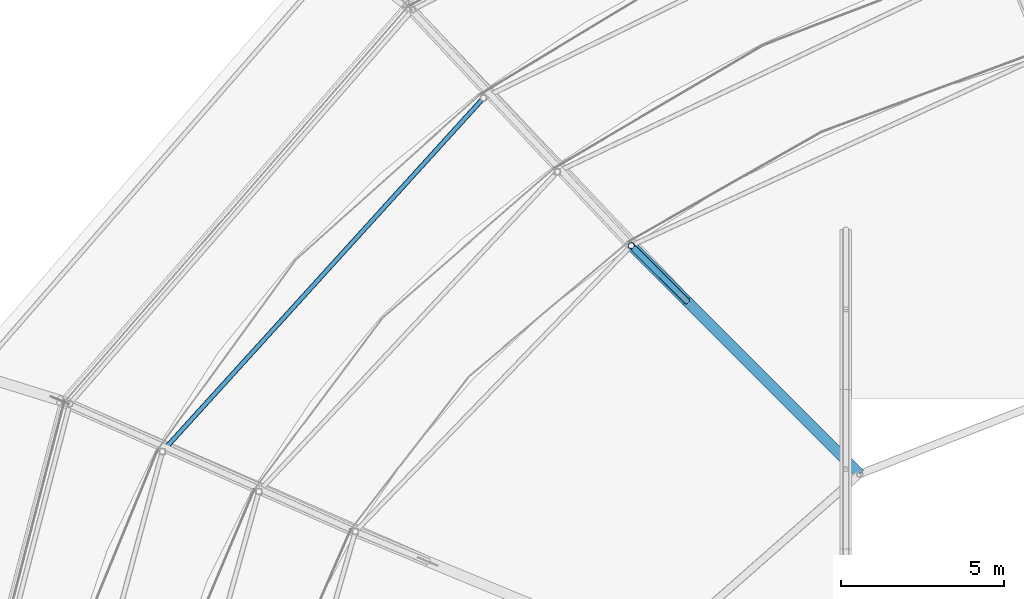
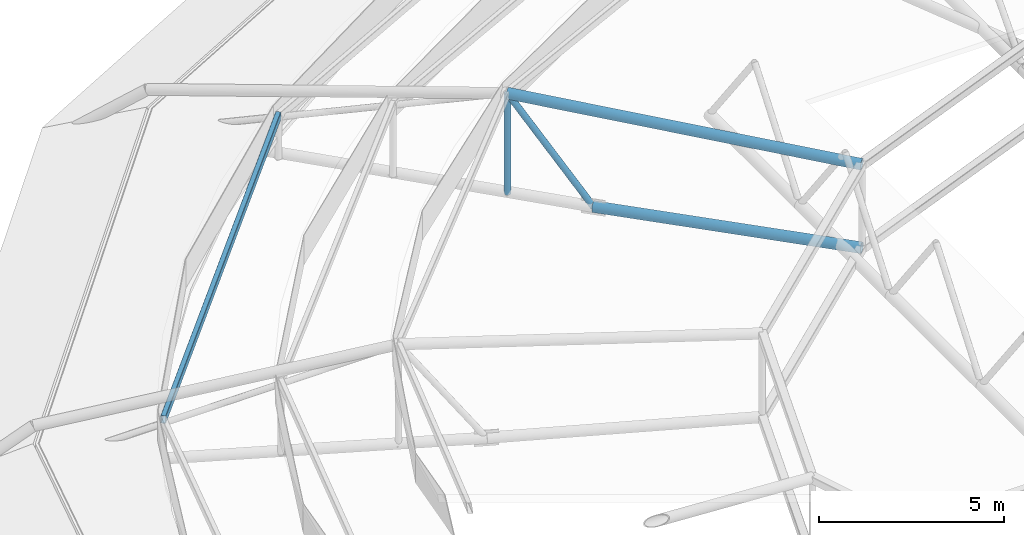
# One storey, part 22 of 134: 4 members, 1 beam.
"""IFC4 building model written with IfcOpenShell, lengths in metres."""

from ifc_helpers import new_model, si_unit, derived_unit, direction, frame, origin, origin_2d, place, context, subcontext, project, spatial, hollow_rectangle, hollow_circle, extrude, material, material_profile, profile_set, type_object, element, save


model = new_model("IFC4")

# Units and contexts
model_context = context("Model", 3, precision=1e-05, world=origin(), true_north=direction((0.0, 1.0)))
body_context = subcontext(model_context, "Body", "Model", "MODEL_VIEW")
ifc_project = project(units=[si_unit("LENGTHUNIT", "METRE"), si_unit("AREAUNIT", "SQUARE_METRE"), si_unit("VOLUMEUNIT", "CUBIC_METRE"), si_unit("PLANEANGLEUNIT", "RADIAN"), si_unit("MASSUNIT", "GRAM", prefix="KILO"), derived_unit("THERMALTRANSMITTANCEUNIT", [(si_unit("MASSUNIT", "GRAM", prefix="KILO"), 1), (si_unit("TIMEUNIT", "SECOND"), -3), (si_unit("THERMODYNAMICTEMPERATUREUNIT", "KELVIN"), -1)])], contexts=[model_context])

# Site, building, storey
site_placement = place(None, origin())
site = spatial("IfcSite", under=ifc_project, at=site_placement, CompositionType="ELEMENT")
building_placement = place(site_placement, origin())
building = spatial("IfcBuilding", under=site, at=building_placement, Name="Kharveza Railside Sports Centre", CompositionType="ELEMENT")
storey_placement = place(building_placement, frame((0.0, 0.0, 12.89990234375)))
storey = spatial("IfcBuildingStorey", under=building, at=storey_placement, Name="L03", CompositionType="ELEMENT", Elevation=12.89990234375)

# Beam
ifc_material = material(Name="Steel S355J2", Category="steel")
ifc_material_profile_1 = material_profile(ifc_material, hollow_rectangle(XDim=0.14990234375, YDim=0.25, WallThickness=0.010009765625, InnerFilletRadius=0.010009765625, OuterFilletRadius=0.02001953125, at=origin_2d()), Name="RHS 150x250x10.0")
ifc_profile_set_1 = profile_set([ifc_material_profile_1], Name="Steel S355J2")
beam_type = type_object("IfcBeamType", Name="BM-SP04", PredefinedType="SPANDREL", material=ifc_profile_set_1)
beam_placement = place(storey_placement, frame((22.497314453125, 74.017333984375, 1.35498046875), z_axis=(-0.672333188061, -0.740248663782, 0.0), x_axis=(0.740248663782, -0.672333188061, 0.0)))
element("IfcBeam", 1, at=beam_placement, inside=storey, type_object=beam_type, Name="BM-LIDRING-S2-07", PredefinedType="SPANDREL", context=body_context, shape_type="SweptSolid", body=[
    extrude(hollow_rectangle(XDim=0.14990234375, YDim=0.25, WallThickness=0.010009765625, InnerFilletRadius=0.010009765625, OuterFilletRadius=0.02001953125, at=origin_2d()), origin(), (0.0, 0.0, 1.0), 14.637939453125),
])

# Members
ifc_material_profile_2 = material_profile(ifc_material, hollow_circle(Radius=0.161865234375, WallThickness=0.01611328125, at=origin_2d()), Name="CHS 323.9x16.0")
ifc_profile_set_2 = profile_set([ifc_material_profile_2], Name="Steel S355J2")
member_type_1 = type_object("IfcMemberType", Name="MB-CH02", PredefinedType="CHORD", material=ifc_profile_set_2)
member_1_placement = place(storey_placement, frame((34.023193359375, 62.491455078125, -0.0498046875), z_axis=(-0.707090505092, 0.707123056906, 0.0), x_axis=(-0.707123056906, -0.707090505092, 0.0)))
element("IfcMember", 2, at=member_1_placement, inside=storey, type_object=member_type_1, Name="MB-OUT-BC1-07", PredefinedType="CHORD", context=body_context, shape_type="SweptSolid", body=[
    extrude(hollow_circle(Radius=0.161865234375, WallThickness=0.01611328125, at=origin_2d()), origin(), (0.0, 0.0, 1.0), 7.5),
])
member_2_placement = place(storey_placement, frame((34.023193359375, 62.491455078125, 2.7001953125), z_axis=(-0.706018898466, 0.706018898466, 0.055449346423), x_axis=(-0.707106781187, -0.707106781187, 0.0)))
element("IfcMember", 3, at=member_2_placement, inside=storey, type_object=member_type_1, Name="MB-OUT-TC1-07", PredefinedType="CHORD", context=body_context, shape_type="SweptSolid", body=[
    extrude(hollow_circle(Radius=0.161865234375, WallThickness=0.01611328125, at=origin_2d()), origin(), (0.0, 0.0, 1.0), 9.91552734375),
])
ifc_material_profile_3 = material_profile(ifc_material, hollow_circle(Radius=0.096923828125, WallThickness=0.010009765625, at=origin_2d()), Name="CHS 193.7x10.0")
ifc_profile_set_3 = profile_set([ifc_material_profile_3], Name="Steel S355J2")
member_type_2 = type_object("IfcMemberType", Name="MB-ST02", PredefinedType="STRUT", material=ifc_profile_set_3)
member_3_placement = place(storey_placement, frame((27.02294921875, 69.491943359375, -0.0498046875), z_axis=(0.0, 0.0, 1.0), x_axis=(1.0, 0.0, 0.0)))
element("IfcMember", 4, at=member_3_placement, inside=storey, type_object=member_type_2, Name="MB-LIDPOST-S4-07", PredefinedType="STRUT", context=body_context, shape_type="SweptSolid", body=[
    extrude(hollow_circle(Radius=0.096923828125, WallThickness=0.010009765625, at=origin_2d()), origin(), (0.0, 0.0, 1.0), 3.304931640625),
])
member_4_placement = place(storey_placement, frame((28.719970703125, 67.794921875, -0.0498046875), z_axis=(-0.415960202023, 0.415900368853, 0.808705133853), x_axis=(-0.707055919343, -0.707157639372, 0.0)))
element("IfcMember", 5, at=member_4_placement, inside=storey, type_object=member_type_2, Name="MB-OUT-WEB-07-2", PredefinedType="STRUT", context=body_context, shape_type="SweptSolid", body=[
    extrude(hollow_circle(Radius=0.096923828125, WallThickness=0.010009765625, at=origin_2d()), origin(), (0.0, 0.0, 1.0), 4.080322265625),
])

save(model, "model.ifc")
